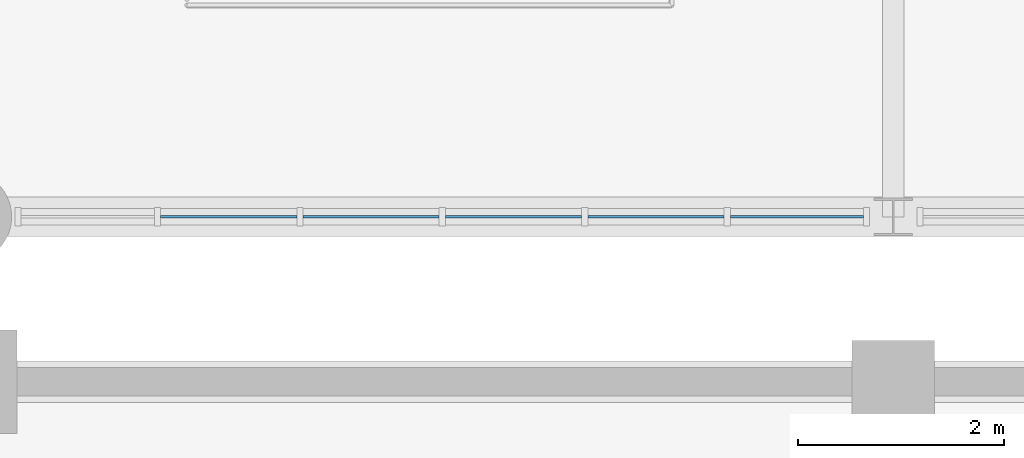
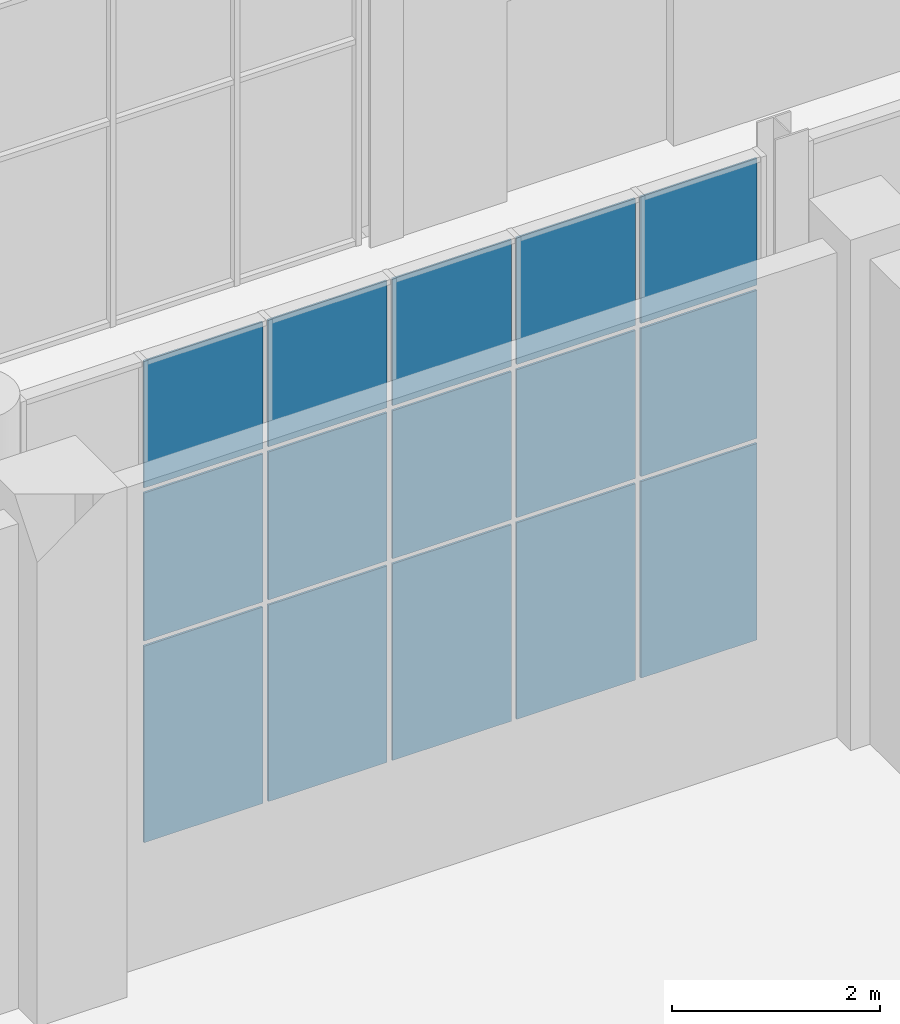
# One storey, part 109 of 159: 15 plates, 1 element without a shape of its own.
"""IFC4 building model written with IfcOpenShell, lengths in metres."""

import ifcopenshell
import ifcopenshell.guid

model = None  # the IFC model being written
_history = None  # IfcOwnerHistory: only IFC2X3 demands one
_inside = {}  # id of a spatial element -> (the spatial element, [elements in it])
_under = {}  # id of a project, library or spatial element -> (it, [spatial elements below it])
_declared = {}  # id of a project -> (the project, [libraries it declares])
_typed = {}  # id of a type object -> (the type object, [elements of that type])
_made_of = {}  # id of a material, layer set ... -> (it, [elements and type objects made of it])


def new_model(schema):
    """Start an empty IFC model of exactly this schema.

    Asked for "IFC4X3", IfcOpenShell would pick the latest addendum, in which some entities
    have other attributes; the version numbers below select the first issue.
    IFC2X3 requires an IfcOwnerHistory on every rooted entity: one is made here for all.
    """
    global model, _history
    if schema == "IFC4X3":
        model = ifcopenshell.file(schema_version=(4, 3, 0, 0))
    else:
        model = ifcopenshell.file(schema=schema)
    _inside.clear()
    _under.clear()
    _declared.clear()
    _typed.clear()
    _made_of.clear()
    _history = None
    if model.schema == "IFC2X3":
        org = make("IfcOrganization", Name="unknown")
        user = make(
            "IfcPersonAndOrganization",
            ThePerson=make("IfcPerson", FamilyName="unknown"),
            TheOrganization=org,
        )
        app = make(
            "IfcApplication",
            ApplicationDeveloper=org,
            Version="unknown",
            ApplicationFullName="unknown",
            ApplicationIdentifier="unknown",
        )
        _history = make(
            "IfcOwnerHistory",
            OwningUser=user,
            OwningApplication=app,
            ChangeAction="ADDED",
            CreationDate=0,
        )
    return model


def make(cls, **values):
    """One entity of the class cls with the attributes given. An attribute that is None is left unset."""
    return model.create_entity(
        cls, **{name: value for name, value in values.items() if value is not None}
    )


def rooted(cls, **values):
    """An entity with a GlobalId (a new one), such as an element, a storey or a relation."""
    return make(cls, GlobalId=ifcopenshell.guid.new(), OwnerHistory=_history, **values)


def si_unit(unit_type, name, prefix=None):
    """IfcSIUnit, for example si_unit("LENGTHUNIT", "METRE", prefix="MILLI")."""
    return make("IfcSIUnit", UnitType=unit_type, Prefix=prefix, Name=name)


def assignment(units):
    """IfcUnitAssignment: the units of a project."""
    return None if units is None else make("IfcUnitAssignment", Units=units)


def point(xyz):
    """IfcCartesianPoint."""
    return None if xyz is None else make("IfcCartesianPoint", Coordinates=xyz)


def direction(xyz):
    """IfcDirection."""
    return None if xyz is None else make("IfcDirection", DirectionRatios=xyz)


def frame(location, z_axis=None, x_axis=None):
    """IfcAxis2Placement3D, a coordinate frame: its origin and axes. An axis left out is left unset."""
    return make(
        "IfcAxis2Placement3D",
        Location=point(location),
        Axis=direction(z_axis),
        RefDirection=direction(x_axis),
    )


def frame_2d(location, x_axis=None):
    """IfcAxis2Placement2D, a coordinate frame in the plane: its origin and x axis."""
    return make(
        "IfcAxis2Placement2D", Location=point(location), RefDirection=direction(x_axis)
    )


def origin():
    """The frame at (0, 0, 0) with its axes left unset."""
    return frame((0.0, 0.0, 0.0))


def origin_2d():
    """The frame at (0, 0) in the plane with its x axis left unset."""
    return frame_2d((0.0, 0.0))


def place(relative_to, where):
    """IfcLocalPlacement: puts the frame where relative to a parent placement (None: the world)."""
    return make(
        "IfcLocalPlacement", PlacementRelTo=relative_to, RelativePlacement=where
    )


def context(
    kind, dimensions, precision=None, world=None, true_north=None, identifier=None
):
    """IfcGeometricRepresentationContext, for example the 3D "Model" context."""
    return make(
        "IfcGeometricRepresentationContext",
        ContextIdentifier=identifier,
        ContextType=kind,
        CoordinateSpaceDimension=dimensions,
        Precision=precision,
        WorldCoordinateSystem=world,
        TrueNorth=true_north,
    )


def subcontext(parent, identifier, kind, view, scale=None):
    """IfcGeometricRepresentationSubContext, for example "Body" below "Model"."""
    return make(
        "IfcGeometricRepresentationSubContext",
        ContextIdentifier=identifier,
        ContextType=kind,
        ParentContext=parent,
        TargetScale=scale,
        TargetView=view,
    )


def project(units=None, contexts=None):
    """IfcProject with its units and contexts."""
    return rooted(
        "IfcProject",
        Name="project",
        RepresentationContexts=contexts,
        UnitsInContext=assignment(units),
    )


def spatial(cls, under=None, at=None, **own):
    """A site, building, storey or space (cls), placed at a placement, below another one or the project."""
    s = rooted(cls, ObjectPlacement=at, **own)
    if under is not None:
        _under.setdefault(under.id(), (under, []))[1].append(s)
    return s


def profile(cls, at=None, kind="AREA", **sizes):
    """A parametric profile (cls). Its sizes go by their IFC names, for example OverallWidth=200.0."""
    return make(cls, ProfileType=kind, Position=at, **sizes)


def rectangle(**sizes):
    """IfcRectangleProfileDef."""
    return profile("IfcRectangleProfileDef", **sizes)


def extrude(swept, where, along, depth):
    """IfcExtrudedAreaSolid: the profile swept, set in the frame where, extruded along a direction by depth."""
    return make(
        "IfcExtrudedAreaSolid",
        SweptArea=swept,
        Position=where,
        ExtrudedDirection=direction(along),
        Depth=depth,
    )


def shape(context_of_items, identifier, shape_type, items):
    """IfcShapeRepresentation: the items that make up one representation, for example the "Body"."""
    return make(
        "IfcShapeRepresentation",
        ContextOfItems=context_of_items,
        RepresentationIdentifier=identifier,
        RepresentationType=shape_type,
        Items=items,
    )


def material(Name=None, Category=None):
    """IfcMaterial."""
    return make("IfcMaterial", Name=Name, Category=Category)


def layer(
    of_material, thickness, ventilated=None, Name=None, Category=None, Priority=None
):
    """IfcMaterialLayer: one layer of a wall or slab, of a material (None: an air gap)."""
    return make(
        "IfcMaterialLayer",
        Material=of_material,
        LayerThickness=thickness,
        IsVentilated=ventilated,
        Name=Name,
        Category=Category,
        Priority=Priority,
    )


def layer_set(layers, Name=None):
    """IfcMaterialLayerSet."""
    return make("IfcMaterialLayerSet", MaterialLayers=layers, LayerSetName=Name)


def made_of(thing, what):
    """Note that an element or type object is made of a material, layer set ...; save() writes the relation."""
    if what is not None:
        _made_of.setdefault(what.id(), (what, []))[1].append(thing)
    return thing


def type_object(cls, material=None, **own):
    """A type object (cls), such as IfcWallType, which elements share."""
    return made_of(rooted(cls, **own), material)


def element(
    cls,
    number,
    at=None,
    inside=None,
    cuts=None,
    type_object=None,
    material=None,
    context=None,
    identifier="Body",
    shape_type=None,
    held_by="IfcProductDefinitionShape",
    body=None,
    shapes=None,
    **own,
):
    """One element of the class cls, such as IfcWall. Its Tag is "e" and its number.

    at: its placement. inside: the storey or other place that contains it. cuts: it is an
    opening in that element (IfcRelVoidsElement). A single representation is given by context,
    identifier, shape_type and body (its items); several are given by shapes. held_by: the class
    of the entity that holds the representations. save() writes the other relations.
    """
    e = rooted(cls, Tag="e%d" % number, ObjectPlacement=at, **own)
    if body is not None:
        shapes = [shape(context, identifier, shape_type, body)]
    if shapes is not None:
        e.Representation = make(held_by, Representations=shapes)
    if inside is not None:
        _inside.setdefault(inside.id(), (inside, []))[1].append(e)
    if cuts is not None:
        rooted(
            "IfcRelVoidsElement", RelatingBuildingElement=cuts, RelatedOpeningElement=e
        )
    if type_object is not None:
        _typed.setdefault(type_object.id(), (type_object, []))[1].append(e)
    return made_of(e, material)


def aggregate(whole, parts):
    """IfcRelAggregates: a whole, such as a stair, and the parts it consists of."""
    return rooted("IfcRelAggregates", RelatingObject=whole, RelatedObjects=parts)


def save(model, path):
    """Write the relations noted so far, then the file.

    IfcRelAggregates (storeys below a building ...), IfcRelContainedInSpatialStructure (elements
    in a storey), IfcRelDefinesByType, IfcRelAssociatesMaterial and IfcRelDeclares: one each for
    every whole, place, type object, material and project.
    """
    for whole, parts in _under.values():
        aggregate(whole, parts)
    for where, things in _inside.values():
        rooted(
            "IfcRelContainedInSpatialStructure",
            RelatedElements=things,
            RelatingStructure=where,
        )
    for kind, things in _typed.values():
        rooted("IfcRelDefinesByType", RelatedObjects=things, RelatingType=kind)
    for what, things in _made_of.values():
        rooted("IfcRelAssociatesMaterial", RelatedObjects=things, RelatingMaterial=what)
    for by, libraries in _declared.values():
        rooted("IfcRelDeclares", RelatingContext=by, RelatedDefinitions=libraries)
    model.write(path)


model = new_model("IFC4")

# Units and contexts
model_context = context("Model", 3, precision=1e-05, world=origin(), true_north=direction((0.0, 1.0)))
body_context = subcontext(model_context, "Body", "Model", "MODEL_VIEW")
ifc_project = project(units=[si_unit("LENGTHUNIT", "METRE"), si_unit("AREAUNIT", "SQUARE_METRE"), si_unit("VOLUMEUNIT", "CUBIC_METRE"), si_unit("PLANEANGLEUNIT", "RADIAN"), si_unit("MASSUNIT", "GRAM", prefix="KILO")], contexts=[model_context])

# Site, building, storey
site_placement = place(None, origin())
site = spatial("IfcSite", under=ifc_project, at=site_placement, CompositionType="ELEMENT")
building_placement = place(site_placement, origin())
building = spatial("IfcBuilding", under=site, at=building_placement, Name="Cazmaro Siding Exhibition Halls", CompositionType="ELEMENT")
storey_placement = place(building_placement, frame((0.0, 0.0, 6.0)))
storey = spatial("IfcBuildingStorey", under=building, at=storey_placement, Name="L01", CompositionType="ELEMENT", Elevation=6.0)

# Curtain wall, plates
ifc_material_1 = material(Name="Anodized Bronze Aluminum and Solar-Control Low-E Glazing", Category="aluminium")
ifc_layer_1 = layer(ifc_material_1, 0.179931640625)
ifc_layer_set_1 = layer_set([ifc_layer_1], Name="Anodized Bronze Aluminum and Solar-Control Low-E Glazing")
curtain_wall_type = type_object("IfcCurtainWallType", Name="CWS-01", PredefinedType="USERDEFINED", material=ifc_layer_set_1)
curtain_wall_placement = place(storey_placement, origin())
curtain_wall = element("IfcCurtainWall", 1, at=curtain_wall_placement, inside=storey, type_object=curtain_wall_type, Name="Glazed Curtain Wall CWS-01 CW-192", ObjectType="GLAZED CURTAIN WALL", PredefinedType="USERDEFINED")
ifc_material_2 = material(Name="Solar-Control Low-E Double Insulating Glass", Category="glass")
ifc_layer_2 = layer(ifc_material_2, 0.02392578125)
ifc_layer_set_2 = layer_set([ifc_layer_2], Name="Solar-Control Low-E Double Insulating Glass")
plate_type = type_object("IfcPlateType", Name="CWP-01", PredefinedType="CURTAIN_PANEL", material=ifc_layer_set_2)
plate_1_placement = place(storey_placement, frame((128.5546875, 55.199951171875, 0.06005859375), z_axis=(0.0, 0.0, 1.0), x_axis=(1.0, 0.0, 0.0)))
plate_1 = element("IfcPlate", 2, at=plate_1_placement, type_object=plate_type, Name="CWS-01 panel 2.1", PredefinedType="CURTAIN_PANEL", context=body_context, shape_type="SweptSolid", body=[
    extrude(rectangle(XDim=1.321044921875, YDim=0.02392578125, at=origin_2d()), origin(), (0.0, 0.0, 1.0), 2.31005859375),
])
plate_2_placement = place(storey_placement, frame((128.5546875, 55.199951171875, 2.43017578125), z_axis=(0.0, 0.0, 1.0), x_axis=(1.0, 0.0, 0.0)))
plate_2 = element("IfcPlate", 3, at=plate_2_placement, type_object=plate_type, Name="CWS-01 panel 2.2", PredefinedType="CURTAIN_PANEL", context=body_context, shape_type="SweptSolid", body=[
    extrude(rectangle(XDim=1.321044921875, YDim=0.02392578125, at=origin_2d()), origin(), (0.0, 0.0, 1.0), 1.739990234375),
])
plate_3_placement = place(storey_placement, frame((128.5546875, 55.199951171875, 4.22998046875), z_axis=(0.0, 0.0, 1.0), x_axis=(1.0, 0.0, 0.0)))
plate_3 = element("IfcPlate", 4, at=plate_3_placement, type_object=plate_type, Name="CWS-01 panel 2.3", PredefinedType="CURTAIN_PANEL", context=body_context, shape_type="SweptSolid", body=[
    extrude(rectangle(XDim=1.321044921875, YDim=0.02392578125, at=origin_2d()), origin(), (0.0, 0.0, 1.0), 1.489990234375),
])
plate_4_placement = place(storey_placement, frame((129.93603515625, 55.199951171875, 0.06005859375), z_axis=(0.0, 0.0, 1.0), x_axis=(1.0, 0.0, 0.0)))
plate_4 = element("IfcPlate", 5, at=plate_4_placement, type_object=plate_type, Name="CWS-01 panel 3.1", PredefinedType="CURTAIN_PANEL", context=body_context, shape_type="SweptSolid", body=[
    extrude(rectangle(XDim=1.321044921875, YDim=0.02392578125, at=origin_2d()), origin(), (0.0, 0.0, 1.0), 2.31005859375),
])
plate_5_placement = place(storey_placement, frame((129.93603515625, 55.199951171875, 2.43017578125), z_axis=(0.0, 0.0, 1.0), x_axis=(1.0, 0.0, 0.0)))
plate_5 = element("IfcPlate", 6, at=plate_5_placement, type_object=plate_type, Name="CWS-01 panel 3.2", PredefinedType="CURTAIN_PANEL", context=body_context, shape_type="SweptSolid", body=[
    extrude(rectangle(XDim=1.321044921875, YDim=0.02392578125, at=origin_2d()), origin(), (0.0, 0.0, 1.0), 1.739990234375),
])
plate_6_placement = place(storey_placement, frame((129.93603515625, 55.199951171875, 4.22998046875), z_axis=(0.0, 0.0, 1.0), x_axis=(1.0, 0.0, 0.0)))
plate_6 = element("IfcPlate", 7, at=plate_6_placement, type_object=plate_type, Name="CWS-01 panel 3.3", PredefinedType="CURTAIN_PANEL", context=body_context, shape_type="SweptSolid", body=[
    extrude(rectangle(XDim=1.321044921875, YDim=0.02392578125, at=origin_2d()), origin(), (0.0, 0.0, 1.0), 1.489990234375),
])
plate_7_placement = place(storey_placement, frame((131.317138671875, 55.199951171875, 0.06005859375), z_axis=(0.0, 0.0, 1.0), x_axis=(1.0, 0.0, 0.0)))
plate_7 = element("IfcPlate", 8, at=plate_7_placement, type_object=plate_type, Name="CWS-01 panel 4.1", PredefinedType="CURTAIN_PANEL", context=body_context, shape_type="SweptSolid", body=[
    extrude(rectangle(XDim=1.321044921875, YDim=0.02392578125, at=origin_2d()), origin(), (0.0, 0.0, 1.0), 2.31005859375),
])
plate_8_placement = place(storey_placement, frame((131.317138671875, 55.199951171875, 2.43017578125), z_axis=(0.0, 0.0, 1.0), x_axis=(1.0, 0.0, 0.0)))
plate_8 = element("IfcPlate", 9, at=plate_8_placement, type_object=plate_type, Name="CWS-01 panel 4.2", PredefinedType="CURTAIN_PANEL", context=body_context, shape_type="SweptSolid", body=[
    extrude(rectangle(XDim=1.321044921875, YDim=0.02392578125, at=origin_2d()), origin(), (0.0, 0.0, 1.0), 1.739990234375),
])
plate_9_placement = place(storey_placement, frame((131.317138671875, 55.199951171875, 4.22998046875), z_axis=(0.0, 0.0, 1.0), x_axis=(1.0, 0.0, 0.0)))
plate_9 = element("IfcPlate", 10, at=plate_9_placement, type_object=plate_type, Name="CWS-01 panel 4.3", PredefinedType="CURTAIN_PANEL", context=body_context, shape_type="SweptSolid", body=[
    extrude(rectangle(XDim=1.321044921875, YDim=0.02392578125, at=origin_2d()), origin(), (0.0, 0.0, 1.0), 1.489990234375),
])
plate_10_placement = place(storey_placement, frame((132.6982421875, 55.199951171875, 0.06005859375), z_axis=(0.0, 0.0, 1.0), x_axis=(1.0, 0.0, 0.0)))
plate_10 = element("IfcPlate", 11, at=plate_10_placement, type_object=plate_type, Name="CWS-01 panel 5.1", PredefinedType="CURTAIN_PANEL", context=body_context, shape_type="SweptSolid", body=[
    extrude(rectangle(XDim=1.321044921875, YDim=0.02392578125, at=origin_2d()), origin(), (0.0, 0.0, 1.0), 2.31005859375),
])
plate_11_placement = place(storey_placement, frame((132.6982421875, 55.199951171875, 2.43017578125), z_axis=(0.0, 0.0, 1.0), x_axis=(1.0, 0.0, 0.0)))
plate_11 = element("IfcPlate", 12, at=plate_11_placement, type_object=plate_type, Name="CWS-01 panel 5.2", PredefinedType="CURTAIN_PANEL", context=body_context, shape_type="SweptSolid", body=[
    extrude(rectangle(XDim=1.321044921875, YDim=0.02392578125, at=origin_2d()), origin(), (0.0, 0.0, 1.0), 1.739990234375),
])
plate_12_placement = place(storey_placement, frame((132.6982421875, 55.199951171875, 4.22998046875), z_axis=(0.0, 0.0, 1.0), x_axis=(1.0, 0.0, 0.0)))
plate_12 = element("IfcPlate", 13, at=plate_12_placement, type_object=plate_type, Name="CWS-01 panel 5.3", PredefinedType="CURTAIN_PANEL", context=body_context, shape_type="SweptSolid", body=[
    extrude(rectangle(XDim=1.321044921875, YDim=0.02392578125, at=origin_2d()), origin(), (0.0, 0.0, 1.0), 1.489990234375),
])
plate_13_placement = place(storey_placement, frame((134.064453125, 55.199951171875, 0.06005859375), z_axis=(0.0, 0.0, 1.0), x_axis=(1.0, 0.0, 0.0)))
plate_13 = element("IfcPlate", 14, at=plate_13_placement, type_object=plate_type, Name="CWS-01 panel 6.1", PredefinedType="CURTAIN_PANEL", context=body_context, shape_type="SweptSolid", body=[
    extrude(rectangle(XDim=1.291259765625, YDim=0.02392578125, at=origin_2d()), origin(), (0.0, 0.0, 1.0), 2.31005859375),
])
plate_14_placement = place(storey_placement, frame((134.064453125, 55.199951171875, 2.43017578125), z_axis=(0.0, 0.0, 1.0), x_axis=(1.0, 0.0, 0.0)))
plate_14 = element("IfcPlate", 15, at=plate_14_placement, type_object=plate_type, Name="CWS-01 panel 6.2", PredefinedType="CURTAIN_PANEL", context=body_context, shape_type="SweptSolid", body=[
    extrude(rectangle(XDim=1.291259765625, YDim=0.02392578125, at=origin_2d()), origin(), (0.0, 0.0, 1.0), 1.739990234375),
])
plate_15_placement = place(storey_placement, frame((134.064453125, 55.199951171875, 4.22998046875), z_axis=(0.0, 0.0, 1.0), x_axis=(1.0, 0.0, 0.0)))
plate_15 = element("IfcPlate", 16, at=plate_15_placement, type_object=plate_type, Name="CWS-01 panel 6.3", PredefinedType="CURTAIN_PANEL", context=body_context, shape_type="SweptSolid", body=[
    extrude(rectangle(XDim=1.291259765625, YDim=0.02392578125, at=origin_2d()), origin(), (0.0, 0.0, 1.0), 1.489990234375),
])
aggregate(curtain_wall, [plate_1, plate_2, plate_3, plate_4, plate_5, plate_6, plate_7, plate_8, plate_9, plate_10, plate_11, plate_12, plate_13, plate_14, plate_15])

save(model, "model.ifc")
